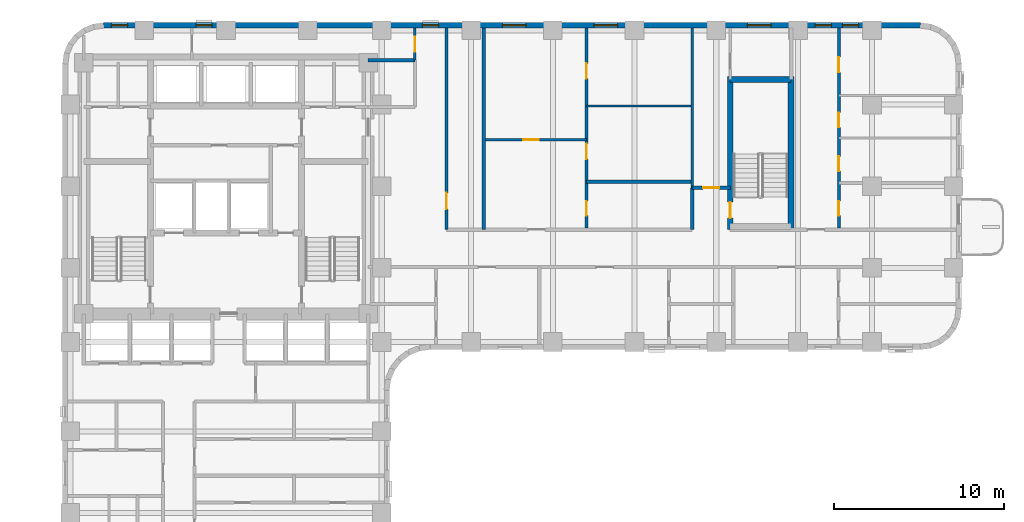
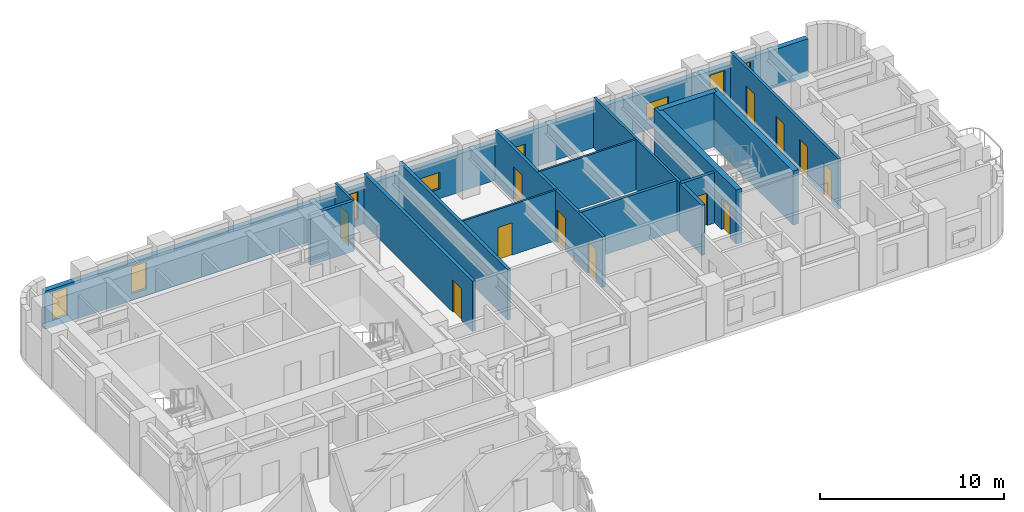
# One storey, part 7 of 12: 16 walls, 12 doors, 8 windows, 20 openings.
"""IFC4 building model written with IfcOpenShell, lengths in metres."""

from ifc_helpers import new_model, si_unit, direction, frame, frame_2d, origin, place, context, subcontext, project, spatial, rectangle, extrude, material, layer, layer_set, type_object, element, fill, save


model = new_model("IFC4")

# Units and contexts
model_context = context("Model", 3, precision=1e-05, world=origin(), true_north=direction((0.0, 1.0)))
body_context = subcontext(model_context, "Body", "Model", "MODEL_VIEW")
ifc_project = project(units=[si_unit("LENGTHUNIT", "METRE"), si_unit("AREAUNIT", "SQUARE_METRE"), si_unit("VOLUMEUNIT", "CUBIC_METRE"), si_unit("PLANEANGLEUNIT", "RADIAN"), si_unit("MASSUNIT", "GRAM", prefix="KILO")], contexts=[model_context])

# Site, building, storey
site_placement = place(None, origin())
site = spatial("IfcSite", under=ifc_project, at=site_placement, CompositionType="ELEMENT")
building_placement = place(site_placement, origin())
building = spatial("IfcBuilding", under=site, at=building_placement, Name="Orvandelia Arch Residences", CompositionType="ELEMENT")
storey_placement = place(building_placement, frame((0.0, 0.0, 43.0)))
storey = spatial("IfcBuildingStorey", under=building, at=storey_placement, Name="L10", CompositionType="ELEMENT", Elevation=43.0)

# Wall, opening, door
ifc_material_1 = material(Name="Concrete C50/60", Category="concrete")
ifc_layer_1 = layer(ifc_material_1, 0.35009765625, Name="Concrete C50/60", Category="concrete")
ifc_layer_set_1 = layer_set([ifc_layer_1], Name="Concrete C50/60")
wall_type_1 = type_object("IfcWallType", Name="WL-CORE-350", PredefinedType="SHEAR", material=ifc_layer_set_1)
wall_1_placement = place(storey_placement, frame((44.02001953125, 35.864990234375, 0.0), z_axis=(0.0, 0.0, 1.0), x_axis=(0.0, 1.0, 0.0)))
wall_1 = element("IfcWall", 1, at=wall_1_placement, inside=storey, type_object=wall_type_1, Name="East Stair Core Shear Wall L10-W", PredefinedType="SHEAR", context=body_context, shape_type="SweptSolid", body=[
    extrude(rectangle(XDim=8.969970703125, YDim=0.35009765625, at=frame_2d((4.48486328125, 0.0))), origin(), (0.0, 0.0, 1.0), 3.60009765625),
])
opening_1_placement = place(wall_1_placement, frame((0.64990234375, 0.0, 0.0)))
opening_1 = element("IfcOpeningElement", 2, at=opening_1_placement, cuts=wall_1, Name="Opening D7", PredefinedType="OPENING", context=body_context, shape_type="SweptSolid", body=[
    extrude(rectangle(XDim=0.949951171875, YDim=2.10009765625, at=frame_2d((0.47509765625, 1.050048828125))), frame((0.0, 0.18505859375, 0.0), z_axis=(0.0, -1.0, 0.0), x_axis=(1.0, 0.0, 0.0)), (0.0, 0.0, 1.0), 0.3701171875),
])
ifc_material_2 = material(Name="Pressurised Stairwell Fire Door")
door_type_1 = type_object("IfcDoorType", Name="DR-STAIR-950", OperationType="NOTDEFINED", PredefinedType="DOOR", material=ifc_material_2)
door_1_placement = place(opening_1_placement, origin())
door_1 = element("IfcDoor", 3, at=door_1_placement, inside=storey, type_object=door_type_1, Name="East Stairwell ST-3 Fire Door L10", OperationType="SINGLE_SWING_LEFT", OverallHeight=2.10009765625, OverallWidth=0.949951171875, PredefinedType="DOOR", context=body_context, shape_type="SweptSolid", body=[
    extrude(rectangle(XDim=0.949951171875, YDim=2.10009765625, at=frame_2d((0.47509765625, 1.050048828125))), frame((0.0, 0.02490234375, 0.0), z_axis=(0.0, -1.0, 0.0), x_axis=(1.0, 0.0, 0.0)), (0.0, 0.0, 1.0), 0.050048828125),
])
fill(opening_1, door_1)

# Walls
wall_2_placement = place(storey_placement, frame((47.60009765625, 35.864990234375, 0.0), z_axis=(0.0, 0.0, 1.0), x_axis=(0.0, 1.0, 0.0)))
element("IfcWall", 4, at=wall_2_placement, inside=storey, type_object=wall_type_1, Name="East Stair Core Shear Wall L10-E", PredefinedType="SHEAR", context=body_context, shape_type="SweptSolid", body=[
    extrude(rectangle(XDim=8.969970703125, YDim=0.35009765625, at=frame_2d((4.48486328125, 0.0))), origin(), (0.0, 0.0, 1.0), 3.60009765625),
])
wall_3_placement = place(storey_placement, frame((44.02001953125, 44.659912109375, 0.0), z_axis=(0.0, 0.0, 1.0), x_axis=(1.0, 0.0, 0.0)))
element("IfcWall", 5, at=wall_3_placement, inside=storey, type_object=wall_type_1, Name="East Stair Core Shear Wall L10-N", PredefinedType="SHEAR", context=body_context, shape_type="SweptSolid", body=[
    extrude(rectangle(XDim=3.580078125, YDim=0.35009765625, at=frame_2d((1.7900390625, 0.0))), origin(), (0.0, 0.0, 1.0), 3.60009765625),
])
ifc_material_3 = material(Name="Fire-Rated Corridor Partition")
ifc_layer_2 = layer(ifc_material_3, 0.199951171875, Name="Fire-Rated Corridor Partition")
ifc_layer_set_2 = layer_set([ifc_layer_2], Name="Fire-Rated Corridor Partition")
wall_type_2 = type_object("IfcWallType", Name="WL-CORR-200", PredefinedType="PARTITIONING", material=ifc_layer_set_2)
wall_4_placement = place(storey_placement, frame((22.75, 45.800048828125, 0.0), z_axis=(0.0, 0.0, 1.0), x_axis=(1.0, 0.0, 0.0)))
element("IfcWall", 6, at=wall_4_placement, inside=storey, type_object=wall_type_2, Name="Interior Partition Wall WL-L10-NCE-S", PredefinedType="PARTITIONING", context=body_context, shape_type="SweptSolid", body=[
    extrude(rectangle(XDim=2.75, YDim=0.199951171875, at=frame_2d((1.375, 0.0))), origin(), (0.0, 0.0, 1.0), 3.35009765625),
])

# Wall, opening, door
wall_5_placement = place(storey_placement, frame((27.35009765625, 35.85009765625, 0.0), z_axis=(0.0, 0.0, 1.0), x_axis=(0.0, 1.0, 0.0)))
wall_5 = element("IfcWall", 7, at=wall_5_placement, inside=storey, type_object=wall_type_2, Name="Interior Partition Wall WL-L10-ES-NCE", PredefinedType="PARTITIONING", context=body_context, shape_type="SweptSolid", body=[
    extrude(rectangle(XDim=11.829833984375, YDim=0.199951171875, at=frame_2d((5.9150390625, 0.0))), origin(), (0.0, 0.0, 1.0), 3.35009765625),
])
opening_2_placement = place(wall_5_placement, frame((1.199951171875, 0.0, 0.0)))
opening_2 = element("IfcOpeningElement", 8, at=opening_2_placement, cuts=wall_5, Name="Opening D2", PredefinedType="OPENING", context=body_context, shape_type="SweptSolid", body=[
    extrude(rectangle(XDim=0.949951171875, YDim=2.14990234375, at=frame_2d((0.47509765625, 1.074951171875))), frame((0.0, 0.10986328125, 0.0), z_axis=(0.0, -1.0, 0.0), x_axis=(1.0, 0.0, 0.0)), (0.0, 0.0, 1.0), 0.219970703125),
])
ifc_material_4 = material(Name="Solid-Core Timber Interior Fire Door", Category="wood")
door_type_2 = type_object("IfcDoorType", Name="DR-APT-950", OperationType="NOTDEFINED", PredefinedType="DOOR", material=ifc_material_4)
door_2_placement = place(opening_2_placement, origin())
door_2 = element("IfcDoor", 9, at=door_2_placement, inside=storey, type_object=door_type_2, Name="DR-L10-ESLDY", OperationType="SINGLE_SWING_RIGHT", OverallHeight=2.14990234375, OverallWidth=0.949951171875, PredefinedType="DOOR", context=body_context, shape_type="SweptSolid", body=[
    extrude(rectangle(XDim=0.949951171875, YDim=2.14990234375, at=frame_2d((0.47509765625, 1.074951171875))), frame((0.0, 0.02490234375, 0.0), z_axis=(0.0, -1.0, 0.0), x_axis=(1.0, 0.0, 0.0)), (0.0, 0.0, 1.0), 0.050048828125),
])
fill(opening_2, door_2)

# Wall
wall_6_placement = place(storey_placement, frame((41.780029296875, 35.85009765625, 0.0), z_axis=(0.0, 0.0, 1.0), x_axis=(0.0, 1.0, 0.0)))
element("IfcWall", 10, at=wall_6_placement, inside=storey, type_object=wall_type_2, Name="Interior Partition Wall WL-L10-ES-SW", PredefinedType="PARTITIONING", context=body_context, shape_type="SweptSolid", body=[
    extrude(rectangle(XDim=2.449951171875, YDim=0.199951171875, at=frame_2d((1.22509765625, 0.0))), origin(), (0.0, 0.0, 1.0), 3.35009765625),
])

# Wall, opening, door
wall_7_placement = place(storey_placement, frame((41.780029296875, 38.300048828125, 0.0), z_axis=(0.0, 0.0, 1.0), x_axis=(1.0, 0.0, 0.0)))
wall_7 = element("IfcWall", 11, at=wall_7_placement, inside=storey, type_object=wall_type_2, Name="Interior Partition Wall WL-L10-ES-SN", PredefinedType="PARTITIONING", context=body_context, shape_type="SweptSolid", body=[
    extrude(rectangle(XDim=2.239990234375, YDim=0.199951171875, at=frame_2d((1.1201171875, 0.0))), origin(), (0.0, 0.0, 1.0), 3.35009765625),
])
opening_3_placement = place(wall_7_placement, frame((0.64990234375, 0.0, 0.0)))
opening_3 = element("IfcOpeningElement", 12, at=opening_3_placement, cuts=wall_7, Name="Opening D2", PredefinedType="OPENING", context=body_context, shape_type="SweptSolid", body=[
    extrude(rectangle(XDim=0.949951171875, YDim=2.14990234375, at=frame_2d((0.47509765625, 1.074951171875))), frame((0.0, 0.10986328125, 0.0), z_axis=(0.0, -1.0, 0.0), x_axis=(1.0, 0.0, 0.0)), (0.0, 0.0, 1.0), 0.219970703125),
])
door_3_placement = place(opening_3_placement, origin())
door_3 = element("IfcDoor", 13, at=door_3_placement, inside=storey, type_object=door_type_2, Name="DR-L10-ESSPK", OperationType="SINGLE_SWING_LEFT", OverallHeight=2.14990234375, OverallWidth=0.949951171875, PredefinedType="DOOR", context=body_context, shape_type="SweptSolid", body=[
    extrude(rectangle(XDim=0.949951171875, YDim=2.14990234375, at=frame_2d((0.47509765625, 1.074951171875))), frame((0.0, 0.02490234375, 0.0), z_axis=(0.0, -1.0, 0.0), x_axis=(1.0, 0.0, 0.0)), (0.0, 0.0, 1.0), 0.050048828125),
])
fill(opening_3, door_3)

# Wall
ifc_material_5 = material(Name="Concrete C40/50", Category="concrete")
ifc_layer_3 = layer(ifc_material_5, 0.199951171875, Name="Concrete C40/50", Category="concrete")
ifc_layer_set_3 = layer_set([ifc_layer_3], Name="Concrete C40/50")
wall_type_3 = type_object("IfcWallType", Name="WL-DEM-200", PredefinedType="SOLIDWALL", material=ifc_layer_set_3)
wall_8_placement = place(storey_placement, frame((29.550048828125, 35.85009765625, 0.0), z_axis=(0.0, 0.0, 1.0), x_axis=(0.0, 1.0, 0.0)))
element("IfcWall", 14, at=wall_8_placement, inside=storey, type_object=wall_type_3, Name="Interior Partition Wall WL-L10-ES-LDE", PredefinedType="SOLIDWALL", context=body_context, shape_type="SweptSolid", body=[
    extrude(rectangle(XDim=11.829833984375, YDim=0.199951171875, at=frame_2d((5.9150390625, 0.0))), origin(), (0.0, 0.0, 1.0), 3.35009765625),
])

# Wall, openings, windows
ifc_material_6 = material(Name="Precast concrete C40/50", Category="concrete")
ifc_layer_4 = layer(ifc_material_6, 0.320068359375, Name="Precast concrete C40/50", Category="concrete")
ifc_layer_set_4 = layer_set([ifc_layer_4], Name="Precast concrete C40/50")
wall_type_4 = type_object("IfcWallType", Name="WL-EXT-STONE-320", PredefinedType="STANDARD", material=ifc_layer_set_4)
wall_9_placement = place(storey_placement, frame((7.199951171875, 47.840087890625, 0.0), z_axis=(0.0, 0.0, 1.0), x_axis=(1.0, 0.0, 0.0)))
wall_9 = element("IfcWall", 15, at=wall_9_placement, inside=storey, type_object=wall_type_4, Name="Coral-Limestone Precast Facade Wall L10-007", PredefinedType="STANDARD", context=body_context, shape_type="SweptSolid", body=[
    extrude(rectangle(XDim=48.0, YDim=0.320068359375, at=frame_2d((24.0, 0.0))), origin(), (0.0, 0.0, 1.0), 2.530029296875),
])
opening_4_placement = place(wall_9_placement, frame((28.803466796875, 0.0, 0.64990234375)))
opening_4 = element("IfcOpeningElement", 16, at=opening_4_placement, cuts=wall_9, Name="Opening W10", PredefinedType="OPENING", context=body_context, shape_type="SweptSolid", body=[
    extrude(rectangle(XDim=1.39990234375, YDim=1.10009765625, at=frame_2d((0.699951171875, 0.550048828125))), frame((0.0, 0.169921875, 0.0), z_axis=(0.0, -1.0, 0.0), x_axis=(1.0, 0.0, 0.0)), (0.0, 0.0, 1.0), 0.340087890625),
])
opening_5_placement = place(wall_9_placement, frame((43.41357421875, 0.0, 0.449951171875)))
opening_5 = element("IfcOpeningElement", 17, at=opening_5_placement, cuts=wall_9, Name="Opening W4", PredefinedType="OPENING", context=body_context, shape_type="SweptSolid", body=[
    extrude(rectangle(XDim=0.949951171875, YDim=1.800048828125, at=frame_2d((0.47509765625, 0.89990234375))), frame((0.0, 0.169921875, 0.0), z_axis=(0.0, -1.0, 0.0), x_axis=(1.0, 0.0, 0.0)), (0.0, 0.0, 1.0), 0.340087890625),
])
opening_6_placement = place(wall_9_placement, frame((18.739990234375, 0.0, 0.449951171875)))
opening_6 = element("IfcOpeningElement", 18, at=opening_6_placement, cuts=wall_9, Name="Opening W4", PredefinedType="OPENING", context=body_context, shape_type="SweptSolid", body=[
    extrude(rectangle(XDim=0.949951171875, YDim=1.800048828125, at=frame_2d((0.47509765625, 0.89990234375))), frame((0.0, 0.169921875, 0.0), z_axis=(0.0, -1.0, 0.0), x_axis=(1.0, 0.0, 0.0)), (0.0, 0.0, 1.0), 0.340087890625),
])
opening_7_placement = place(wall_9_placement, frame((37.824951171875, 0.0, 0.64990234375)))
opening_7 = element("IfcOpeningElement", 19, at=opening_7_placement, cuts=wall_9, Name="Opening W10", PredefinedType="OPENING", context=body_context, shape_type="SweptSolid", body=[
    extrude(rectangle(XDim=1.39990234375, YDim=1.10009765625, at=frame_2d((0.699951171875, 0.550048828125))), frame((0.0, 0.169921875, 0.0), z_axis=(0.0, -1.0, 0.0), x_axis=(1.0, 0.0, 0.0)), (0.0, 0.0, 1.0), 0.340087890625),
])
opening_8_placement = place(wall_9_placement, frame((0.469970703125, 0.0, 0.449951171875)))
opening_8 = element("IfcOpeningElement", 20, at=opening_8_placement, cuts=wall_9, Name="Opening W4", PredefinedType="OPENING", context=body_context, shape_type="SweptSolid", body=[
    extrude(rectangle(XDim=0.949951171875, YDim=1.800048828125, at=frame_2d((0.47509765625, 0.89990234375))), frame((0.0, 0.169921875, 0.0), z_axis=(0.0, -1.0, 0.0), x_axis=(1.0, 0.0, 0.0)), (0.0, 0.0, 1.0), 0.340087890625),
])
opening_9_placement = place(wall_9_placement, frame((5.43994140625, 0.0, 0.449951171875)))
opening_9 = element("IfcOpeningElement", 21, at=opening_9_placement, cuts=wall_9, Name="Opening W4", PredefinedType="OPENING", context=body_context, shape_type="SweptSolid", body=[
    extrude(rectangle(XDim=0.949951171875, YDim=1.800048828125, at=frame_2d((0.47509765625, 0.89990234375))), frame((0.0, 0.169921875, 0.0), z_axis=(0.0, -1.0, 0.0), x_axis=(1.0, 0.0, 0.0)), (0.0, 0.0, 1.0), 0.340087890625),
])
opening_10_placement = place(wall_9_placement, frame((23.429931640625, 0.0, 0.64990234375)))
opening_10 = element("IfcOpeningElement", 22, at=opening_10_placement, cuts=wall_9, Name="Opening W10", PredefinedType="OPENING", context=body_context, shape_type="SweptSolid", body=[
    extrude(rectangle(XDim=1.39990234375, YDim=1.10009765625, at=frame_2d((0.699951171875, 0.550048828125))), frame((0.0, 0.169921875, 0.0), z_axis=(0.0, -1.0, 0.0), x_axis=(1.0, 0.0, 0.0)), (0.0, 0.0, 1.0), 0.340087890625),
])
opening_11_placement = place(wall_9_placement, frame((41.80859375, 0.0, 0.449951171875)))
opening_11 = element("IfcOpeningElement", 23, at=opening_11_placement, cuts=wall_9, Name="Opening W4", PredefinedType="OPENING", context=body_context, shape_type="SweptSolid", body=[
    extrude(rectangle(XDim=0.949951171875, YDim=1.800048828125, at=frame_2d((0.47509765625, 0.89990234375))), frame((0.0, 0.169921875, 0.0), z_axis=(0.0, -1.0, 0.0), x_axis=(1.0, 0.0, 0.0)), (0.0, 0.0, 1.0), 0.340087890625),
])
ifc_material_7 = material(Name="Tempered Low-E Insulated Glazing", Category="glass")
window_type_1 = type_object("IfcWindowType", Name="WIN-CLR-1400x1100", PartitioningType="SINGLE_PANEL", PredefinedType="WINDOW", material=ifc_material_7)
window_1_placement = place(opening_4_placement, origin())
window_1 = element("IfcWindow", 24, at=window_1_placement, inside=storey, type_object=window_type_1, Name="Recessed Punched Window L10-001", OverallHeight=1.10009765625, OverallWidth=1.39990234375, PartitioningType="SINGLE_PANEL", PredefinedType="WINDOW", context=body_context, shape_type="SweptSolid", body=[
    extrude(rectangle(XDim=1.39990234375, YDim=1.10009765625, at=frame_2d((0.699951171875, 0.550048828125))), frame((0.0, 0.030029296875, 0.0), z_axis=(0.0, -1.0, 0.0), x_axis=(1.0, 0.0, 0.0)), (0.0, 0.0, 1.0), 0.06005859375),
])
fill(opening_4, window_1)
window_2_placement = place(opening_7_placement, origin())
window_2 = element("IfcWindow", 25, at=window_2_placement, inside=storey, type_object=window_type_1, Name="Recessed Punched Window L10-004", OverallHeight=1.10009765625, OverallWidth=1.39990234375, PartitioningType="SINGLE_PANEL", PredefinedType="WINDOW", context=body_context, shape_type="SweptSolid", body=[
    extrude(rectangle(XDim=1.39990234375, YDim=1.10009765625, at=frame_2d((0.699951171875, 0.550048828125))), frame((0.0, 0.030029296875, 0.0), z_axis=(0.0, -1.0, 0.0), x_axis=(1.0, 0.0, 0.0)), (0.0, 0.0, 1.0), 0.06005859375),
])
fill(opening_7, window_2)
window_3_placement = place(opening_10_placement, origin())
window_3 = element("IfcWindow", 26, at=window_3_placement, inside=storey, type_object=window_type_1, Name="Recessed Punched Window L10-007", OverallHeight=1.10009765625, OverallWidth=1.39990234375, PartitioningType="SINGLE_PANEL", PredefinedType="WINDOW", context=body_context, shape_type="SweptSolid", body=[
    extrude(rectangle(XDim=1.39990234375, YDim=1.10009765625, at=frame_2d((0.699951171875, 0.550048828125))), frame((0.0, 0.030029296875, 0.0), z_axis=(0.0, -1.0, 0.0), x_axis=(1.0, 0.0, 0.0)), (0.0, 0.0, 1.0), 0.06005859375),
])
fill(opening_10, window_3)
window_type_2 = type_object("IfcWindowType", Name="WIN-RES-0950x1800", PartitioningType="SINGLE_PANEL", PredefinedType="WINDOW", material=ifc_material_7)
window_4_placement = place(opening_5_placement, origin())
window_4 = element("IfcWindow", 27, at=window_4_placement, inside=storey, type_object=window_type_2, Name="Recessed Punched Window L10-002", OverallHeight=1.800048828125, OverallWidth=0.949951171875, PartitioningType="SINGLE_PANEL", PredefinedType="WINDOW", context=body_context, shape_type="SweptSolid", body=[
    extrude(rectangle(XDim=0.949951171875, YDim=1.800048828125, at=frame_2d((0.47509765625, 0.89990234375))), frame((0.0, 0.030029296875, 0.0), z_axis=(0.0, -1.0, 0.0), x_axis=(1.0, 0.0, 0.0)), (0.0, 0.0, 1.0), 0.06005859375),
])
fill(opening_5, window_4)
window_5_placement = place(opening_6_placement, origin())
window_5 = element("IfcWindow", 28, at=window_5_placement, inside=storey, type_object=window_type_2, Name="Recessed Punched Window L10-003", OverallHeight=1.800048828125, OverallWidth=0.949951171875, PartitioningType="SINGLE_PANEL", PredefinedType="WINDOW", context=body_context, shape_type="SweptSolid", body=[
    extrude(rectangle(XDim=0.949951171875, YDim=1.800048828125, at=frame_2d((0.47509765625, 0.89990234375))), frame((0.0, 0.030029296875, 0.0), z_axis=(0.0, -1.0, 0.0), x_axis=(1.0, 0.0, 0.0)), (0.0, 0.0, 1.0), 0.06005859375),
])
fill(opening_6, window_5)
window_6_placement = place(opening_8_placement, origin())
window_6 = element("IfcWindow", 29, at=window_6_placement, inside=storey, type_object=window_type_2, Name="Recessed Punched Window L10-005", OverallHeight=1.800048828125, OverallWidth=0.949951171875, PartitioningType="SINGLE_PANEL", PredefinedType="WINDOW", context=body_context, shape_type="SweptSolid", body=[
    extrude(rectangle(XDim=0.949951171875, YDim=1.800048828125, at=frame_2d((0.47509765625, 0.89990234375))), frame((0.0, 0.030029296875, 0.0), z_axis=(0.0, -1.0, 0.0), x_axis=(1.0, 0.0, 0.0)), (0.0, 0.0, 1.0), 0.06005859375),
])
fill(opening_8, window_6)
window_7_placement = place(opening_9_placement, origin())
window_7 = element("IfcWindow", 30, at=window_7_placement, inside=storey, type_object=window_type_2, Name="Recessed Punched Window L10-006", OverallHeight=1.800048828125, OverallWidth=0.949951171875, PartitioningType="SINGLE_PANEL", PredefinedType="WINDOW", context=body_context, shape_type="SweptSolid", body=[
    extrude(rectangle(XDim=0.949951171875, YDim=1.800048828125, at=frame_2d((0.47509765625, 0.89990234375))), frame((0.0, 0.030029296875, 0.0), z_axis=(0.0, -1.0, 0.0), x_axis=(1.0, 0.0, 0.0)), (0.0, 0.0, 1.0), 0.06005859375),
])
fill(opening_9, window_7)
window_8_placement = place(opening_11_placement, origin())
window_8 = element("IfcWindow", 31, at=window_8_placement, inside=storey, type_object=window_type_2, Name="Recessed Punched Window L10-008", OverallHeight=1.800048828125, OverallWidth=0.949951171875, PartitioningType="SINGLE_PANEL", PredefinedType="WINDOW", context=body_context, shape_type="SweptSolid", body=[
    extrude(rectangle(XDim=0.949951171875, YDim=1.800048828125, at=frame_2d((0.47509765625, 0.89990234375))), frame((0.0, 0.030029296875, 0.0), z_axis=(0.0, -1.0, 0.0), x_axis=(1.0, 0.0, 0.0)), (0.0, 0.0, 1.0), 0.06005859375),
])
fill(opening_11, window_8)

# Wall, opening, door
ifc_material_8 = material(Name="Lightweight Gypsum Stud Partition")
ifc_layer_5 = layer(ifc_material_8, 0.1201171875, Name="Lightweight Gypsum Stud Partition")
ifc_layer_set_5 = layer_set([ifc_layer_5], Name="Lightweight Gypsum Stud Partition")
wall_type_5 = type_object("IfcWallType", Name="WL-PART-120", PredefinedType="PARTITIONING", material=ifc_layer_set_5)
wall_10_placement = place(storey_placement, frame((29.6298828125, 41.1259765625, 0.0), z_axis=(0.0, 0.0, 1.0), x_axis=(1.0, 0.0, 0.0)))
wall_10 = element("IfcWall", 32, at=wall_10_placement, inside=storey, type_object=wall_type_5, Name="Interior Partition Wall WL-L10-U11-DIN", PredefinedType="PARTITIONING", context=body_context, shape_type="SweptSolid", body=[
    extrude(rectangle(XDim=5.947021484375, YDim=0.1201171875, at=frame_2d((2.9736328125, 0.0))), origin(), (0.0, 0.0, 1.0), 3.35009765625),
])
opening_12_placement = place(wall_10_placement, frame((2.235107421875, 0.0, 0.0)))
opening_12 = element("IfcOpeningElement", 33, at=opening_12_placement, cuts=wall_10, Name="Opening D3", PredefinedType="OPENING", context=body_context, shape_type="SweptSolid", body=[
    extrude(rectangle(XDim=0.89990234375, YDim=2.14990234375, at=frame_2d((0.449951171875, 1.074951171875))), frame((0.0, 0.070068359375, 0.0), z_axis=(0.0, -1.0, 0.0), x_axis=(1.0, 0.0, 0.0)), (0.0, 0.0, 1.0), 0.14013671875),
])
ifc_material_9 = material(Name="Engineered Timber Flush Door", Category="wood")
door_type_3 = type_object("IfcDoorType", Name="DR-INT-900", OperationType="NOTDEFINED", PredefinedType="DOOR", material=ifc_material_9)
door_4_placement = place(opening_12_placement, origin())
door_4 = element("IfcDoor", 34, at=door_4_placement, inside=storey, type_object=door_type_3, Name="DR-L10-U11-DIN", OperationType="SINGLE_SWING_RIGHT", OverallHeight=2.14990234375, OverallWidth=0.89990234375, PredefinedType="DOOR", context=body_context, shape_type="SweptSolid", body=[
    extrude(rectangle(XDim=0.89990234375, YDim=2.14990234375, at=frame_2d((0.449951171875, 1.074951171875))), frame((0.0, 0.02490234375, 0.0), z_axis=(0.0, -1.0, 0.0), x_axis=(1.0, 0.0, 0.0)), (0.0, 0.0, 1.0), 0.050048828125),
])
fill(opening_12, door_4)

# Wall
wall_11_placement = place(storey_placement, frame((35.576904296875, 43.10693359375, 0.0), z_axis=(0.0, 0.0, 1.0), x_axis=(1.0, 0.0, 0.0)))
element("IfcWall", 35, at=wall_11_placement, inside=storey, type_object=wall_type_5, Name="Interior Partition Wall WL-L10-U11-H2", PredefinedType="PARTITIONING", context=body_context, shape_type="SweptSolid", body=[
    extrude(rectangle(XDim=6.123046875, YDim=0.1201171875, at=frame_2d((3.0615234375, 0.0))), origin(), (0.0, 0.0, 1.0), 3.35009765625),
])

# Wall, opening, door
ifc_material_10 = material(Name="Acoustic Gypsum Stud Partition")
ifc_layer_6 = layer(ifc_material_10, 0.14990234375, Name="Acoustic Gypsum Stud Partition")
ifc_layer_set_6 = layer_set([ifc_layer_6], Name="Acoustic Gypsum Stud Partition")
wall_type_6 = type_object("IfcWallType", Name="WL-PART-150", PredefinedType="PARTITIONING", material=ifc_layer_set_6)
wall_12_placement = place(storey_placement, frame((25.5, 45.800048828125, 0.0), z_axis=(0.0, 0.0, 1.0), x_axis=(0.0, 1.0, 0.0)))
wall_12 = element("IfcWall", 36, at=wall_12_placement, inside=storey, type_object=wall_type_6, Name="Interior Partition Wall WL-L10-NCE-W", PredefinedType="PARTITIONING", context=body_context, shape_type="SweptSolid", body=[
    extrude(rectangle(XDim=1.8798828125, YDim=0.14990234375, at=frame_2d((0.93994140625, 0.0))), origin(), (0.0, 0.0, 1.0), 3.35009765625),
])
opening_13_placement = place(wall_12_placement, frame((0.5, 0.0, 0.0)))
opening_13 = element("IfcOpeningElement", 37, at=opening_13_placement, cuts=wall_12, Name="Opening D5", PredefinedType="OPENING", context=body_context, shape_type="SweptSolid", body=[
    extrude(rectangle(XDim=0.8798828125, YDim=2.10009765625, at=frame_2d((0.43994140625, 1.050048828125))), frame((0.0, 0.0849609375, 0.0), z_axis=(0.0, -1.0, 0.0), x_axis=(1.0, 0.0, 0.0)), (0.0, 0.0, 1.0), 0.169921875),
])
ifc_material_11 = material(Name="Painted Galvanised Steel Service Door", Category="steel")
door_type_4 = type_object("IfcDoorType", Name="DR-SRV-880", OperationType="NOTDEFINED", PredefinedType="DOOR", material=ifc_material_11)
door_5_placement = place(opening_13_placement, origin())
door_5 = element("IfcDoor", 38, at=door_5_placement, inside=storey, type_object=door_type_4, Name="DR-L10-NCS2", OperationType="SINGLE_SWING_LEFT", OverallHeight=2.10009765625, OverallWidth=0.8798828125, PredefinedType="DOOR", context=body_context, shape_type="SweptSolid", body=[
    extrude(rectangle(XDim=0.8798828125, YDim=2.10009765625, at=frame_2d((0.43994140625, 1.050048828125))), frame((0.0, 0.02490234375, 0.0), z_axis=(0.0, -1.0, 0.0), x_axis=(1.0, 0.0, 0.0)), (0.0, 0.0, 1.0), 0.050048828125),
])
fill(opening_13, door_5)

# Wall
wall_13_placement = place(storey_placement, frame((41.780029296875, 38.300048828125, 0.0), z_axis=(0.0, 0.0, 1.0), x_axis=(0.0, 1.0, 0.0)))
element("IfcWall", 39, at=wall_13_placement, inside=storey, type_object=wall_type_6, Name="Interior Partition Wall WL-L10-ES-SPKW", PredefinedType="PARTITIONING", context=body_context, shape_type="SweptSolid", body=[
    extrude(rectangle(XDim=9.3798828125, YDim=0.14990234375, at=frame_2d((4.68994140625, 0.0))), origin(), (0.0, 0.0, 1.0), 3.35009765625),
])

# Wall, openings, doors
ifc_material_12 = material(Name="Moisture-Resistant Plumbing Wall")
ifc_layer_7 = layer(ifc_material_12, 0.179931640625, Name="Moisture-Resistant Plumbing Wall")
ifc_layer_set_7 = layer_set([ifc_layer_7], Name="Moisture-Resistant Plumbing Wall")
wall_type_7 = type_object("IfcWallType", Name="WL-WET-180", PredefinedType="PLUMBINGWALL", material=ifc_layer_set_7)
wall_14_placement = place(storey_placement, frame((35.576904296875, 35.929931640625, 0.0), z_axis=(0.0, 0.0, 1.0), x_axis=(0.0, 1.0, 0.0)))
wall_14 = element("IfcWall", 40, at=wall_14_placement, inside=storey, type_object=wall_type_7, Name="Interior Partition Wall WL-L10-U11-VT", PredefinedType="PLUMBINGWALL", context=body_context, shape_type="SweptSolid", body=[
    extrude(rectangle(XDim=11.75, YDim=0.179931640625, at=frame_2d((5.875, 0.0))), origin(), (0.0, 0.0, 1.0), 3.35009765625),
])
opening_14_placement = place(wall_14_placement, frame((0.7333984375, 0.0, 0.0)))
opening_14 = element("IfcOpeningElement", 41, at=opening_14_placement, cuts=wall_14, Name="Opening D4", PredefinedType="OPENING", context=body_context, shape_type="SweptSolid", body=[
    extrude(rectangle(XDim=0.860107421875, YDim=2.10009765625, at=frame_2d((0.43017578125, 1.050048828125))), frame((0.0, 0.10009765625, 0.0), z_axis=(0.0, -1.0, 0.0), x_axis=(1.0, 0.0, 0.0)), (0.0, 0.0, 1.0), 0.199951171875),
])
opening_15_placement = place(wall_14_placement, frame((4.063720703125, 0.0, 0.0)))
opening_15 = element("IfcOpeningElement", 42, at=opening_15_placement, cuts=wall_14, Name="Opening D3", PredefinedType="OPENING", context=body_context, shape_type="SweptSolid", body=[
    extrude(rectangle(XDim=0.89990234375, YDim=2.14990234375, at=frame_2d((0.449951171875, 1.074951171875))), frame((0.0, 0.10009765625, 0.0), z_axis=(0.0, -1.0, 0.0), x_axis=(1.0, 0.0, 0.0)), (0.0, 0.0, 1.0), 0.199951171875),
])
opening_16_placement = place(wall_14_placement, frame((8.789306640625, 0.0, 0.0)))
opening_16 = element("IfcOpeningElement", 43, at=opening_16_placement, cuts=wall_14, Name="Opening D3", PredefinedType="OPENING", context=body_context, shape_type="SweptSolid", body=[
    extrude(rectangle(XDim=0.89990234375, YDim=2.14990234375, at=frame_2d((0.449951171875, 1.074951171875))), frame((0.0, 0.10009765625, 0.0), z_axis=(0.0, -1.0, 0.0), x_axis=(1.0, 0.0, 0.0)), (0.0, 0.0, 1.0), 0.199951171875),
])
door_6_placement = place(opening_15_placement, origin())
door_6 = element("IfcDoor", 44, at=door_6_placement, inside=storey, type_object=door_type_3, Name="DR-L10-U11-KIT", OperationType="SINGLE_SWING_LEFT", OverallHeight=2.14990234375, OverallWidth=0.89990234375, PredefinedType="DOOR", context=body_context, shape_type="SweptSolid", body=[
    extrude(rectangle(XDim=0.89990234375, YDim=2.14990234375, at=frame_2d((0.449951171875, 1.074951171875))), frame((0.0, 0.02490234375, 0.0), z_axis=(0.0, -1.0, 0.0), x_axis=(1.0, 0.0, 0.0)), (0.0, 0.0, 1.0), 0.050048828125),
])
fill(opening_15, door_6)
door_7_placement = place(opening_16_placement, origin())
door_7 = element("IfcDoor", 45, at=door_7_placement, inside=storey, type_object=door_type_3, Name="DR-L10-U11-BD1", OperationType="SINGLE_SWING_RIGHT", OverallHeight=2.14990234375, OverallWidth=0.89990234375, PredefinedType="DOOR", context=body_context, shape_type="SweptSolid", body=[
    extrude(rectangle(XDim=0.89990234375, YDim=2.14990234375, at=frame_2d((0.449951171875, 1.074951171875))), frame((0.0, 0.02490234375, 0.0), z_axis=(0.0, -1.0, 0.0), x_axis=(1.0, 0.0, 0.0)), (0.0, 0.0, 1.0), 0.050048828125),
])
fill(opening_16, door_7)
ifc_material_13 = material(Name="Moisture-Sealed Timber Bathroom Door", Category="wood")
door_type_5 = type_object("IfcDoorType", Name="DR-WET-900", OperationType="NOTDEFINED", PredefinedType="DOOR", material=ifc_material_13)
door_8_placement = place(opening_14_placement, origin())
door_8 = element("IfcDoor", 46, at=door_8_placement, inside=storey, type_object=door_type_5, Name="DR-L10-U11-BTH", OperationType="SINGLE_SWING_RIGHT", OverallHeight=2.10009765625, OverallWidth=0.860107421875, PredefinedType="DOOR", context=body_context, shape_type="SweptSolid", body=[
    extrude(rectangle(XDim=0.860107421875, YDim=2.10009765625, at=frame_2d((0.43017578125, 1.050048828125))), frame((0.0, 0.02490234375, 0.0), z_axis=(0.0, -1.0, 0.0), x_axis=(1.0, 0.0, 0.0)), (0.0, 0.0, 1.0), 0.050048828125),
])
fill(opening_14, door_8)

# Wall
wall_15_placement = place(storey_placement, frame((35.576904296875, 38.659912109375, 0.0), z_axis=(0.0, 0.0, 1.0), x_axis=(1.0, 0.0, 0.0)))
element("IfcWall", 47, at=wall_15_placement, inside=storey, type_object=wall_type_7, Name="Interior Partition Wall WL-L10-U11-H1", PredefinedType="PLUMBINGWALL", context=body_context, shape_type="SweptSolid", body=[
    extrude(rectangle(XDim=6.123046875, YDim=0.179931640625, at=frame_2d((3.0615234375, 0.0))), origin(), (0.0, 0.0, 1.0), 3.35009765625),
])

# Wall, openings, doors
wall_16_placement = place(storey_placement, frame((50.39697265625, 35.949951171875, 0.0), z_axis=(0.0, 0.0, 1.0), x_axis=(0.0, 1.0, 0.0)))
wall_16 = element("IfcWall", 48, at=wall_16_placement, inside=storey, type_object=wall_type_7, Name="Interior Partition Wall WL-L10-U12-VT", PredefinedType="PLUMBINGWALL", context=body_context, shape_type="SweptSolid", body=[
    extrude(rectangle(XDim=11.72998046875, YDim=0.179931640625, at=frame_2d((5.864990234375, 0.0))), origin(), (0.0, 0.0, 1.0), 3.35009765625),
])
opening_17_placement = place(wall_16_placement, frame((0.7158203125, 0.0, 0.0)))
opening_17 = element("IfcOpeningElement", 49, at=opening_17_placement, cuts=wall_16, Name="Opening D4", PredefinedType="OPENING", context=body_context, shape_type="SweptSolid", body=[
    extrude(rectangle(XDim=0.860107421875, YDim=2.10009765625, at=frame_2d((0.43017578125, 1.050048828125))), frame((0.0, 0.10009765625, 0.0), z_axis=(0.0, -1.0, 0.0), x_axis=(1.0, 0.0, 0.0)), (0.0, 0.0, 1.0), 0.199951171875),
])
opening_18_placement = place(wall_16_placement, frame((3.3349609375, 0.0, 0.0)))
opening_18 = element("IfcOpeningElement", 50, at=opening_18_placement, cuts=wall_16, Name="Opening D4", PredefinedType="OPENING", context=body_context, shape_type="SweptSolid", body=[
    extrude(rectangle(XDim=0.860107421875, YDim=2.10009765625, at=frame_2d((0.43017578125, 1.050048828125))), frame((0.0, 0.10009765625, 0.0), z_axis=(0.0, -1.0, 0.0), x_axis=(1.0, 0.0, 0.0)), (0.0, 0.0, 1.0), 0.199951171875),
])
opening_19_placement = place(wall_16_placement, frame((5.90673828125, 0.0, 0.0)))
opening_19 = element("IfcOpeningElement", 51, at=opening_19_placement, cuts=wall_16, Name="Opening D4", PredefinedType="OPENING", context=body_context, shape_type="SweptSolid", body=[
    extrude(rectangle(XDim=0.860107421875, YDim=2.10009765625, at=frame_2d((0.43017578125, 1.050048828125))), frame((0.0, 0.10009765625, 0.0), z_axis=(0.0, -1.0, 0.0), x_axis=(1.0, 0.0, 0.0)), (0.0, 0.0, 1.0), 0.199951171875),
])
opening_20_placement = place(wall_16_placement, frame((9.12841796875, 0.0, 0.0)))
opening_20 = element("IfcOpeningElement", 52, at=opening_20_placement, cuts=wall_16, Name="Opening D3", PredefinedType="OPENING", context=body_context, shape_type="SweptSolid", body=[
    extrude(rectangle(XDim=0.89990234375, YDim=2.14990234375, at=frame_2d((0.449951171875, 1.074951171875))), frame((0.0, 0.10009765625, 0.0), z_axis=(0.0, -1.0, 0.0), x_axis=(1.0, 0.0, 0.0)), (0.0, 0.0, 1.0), 0.199951171875),
])
door_9_placement = place(opening_20_placement, origin())
door_9 = element("IfcDoor", 53, at=door_9_placement, inside=storey, type_object=door_type_3, Name="DR-L10-U12-BD1", OperationType="SINGLE_SWING_RIGHT", OverallHeight=2.14990234375, OverallWidth=0.89990234375, PredefinedType="DOOR", context=body_context, shape_type="SweptSolid", body=[
    extrude(rectangle(XDim=0.89990234375, YDim=2.14990234375, at=frame_2d((0.449951171875, 1.074951171875))), frame((0.0, 0.02490234375, 0.0), z_axis=(0.0, -1.0, 0.0), x_axis=(1.0, 0.0, 0.0)), (0.0, 0.0, 1.0), 0.050048828125),
])
fill(opening_20, door_9)
door_10_placement = place(opening_17_placement, origin())
door_10 = element("IfcDoor", 54, at=door_10_placement, inside=storey, type_object=door_type_5, Name="DR-L10-U12-BTH", OperationType="SINGLE_SWING_LEFT", OverallHeight=2.10009765625, OverallWidth=0.860107421875, PredefinedType="DOOR", context=body_context, shape_type="SweptSolid", body=[
    extrude(rectangle(XDim=0.860107421875, YDim=2.10009765625, at=frame_2d((0.43017578125, 1.050048828125))), frame((0.0, 0.02490234375, 0.0), z_axis=(0.0, -1.0, 0.0), x_axis=(1.0, 0.0, 0.0)), (0.0, 0.0, 1.0), 0.050048828125),
])
fill(opening_17, door_10)
door_11_placement = place(opening_18_placement, origin())
door_11 = element("IfcDoor", 55, at=door_11_placement, inside=storey, type_object=door_type_5, Name="DR-L10-U12-KIT", OperationType="SINGLE_SWING_RIGHT", OverallHeight=2.10009765625, OverallWidth=0.860107421875, PredefinedType="DOOR", context=body_context, shape_type="SweptSolid", body=[
    extrude(rectangle(XDim=0.860107421875, YDim=2.10009765625, at=frame_2d((0.43017578125, 1.050048828125))), frame((0.0, 0.02490234375, 0.0), z_axis=(0.0, -1.0, 0.0), x_axis=(1.0, 0.0, 0.0)), (0.0, 0.0, 1.0), 0.050048828125),
])
fill(opening_18, door_11)
door_12_placement = place(opening_19_placement, origin())
door_12 = element("IfcDoor", 56, at=door_12_placement, inside=storey, type_object=door_type_5, Name="DR-L10-U12-STDY", OperationType="SINGLE_SWING_LEFT", OverallHeight=2.10009765625, OverallWidth=0.860107421875, PredefinedType="DOOR", context=body_context, shape_type="SweptSolid", body=[
    extrude(rectangle(XDim=0.860107421875, YDim=2.10009765625, at=frame_2d((0.43017578125, 1.050048828125))), frame((0.0, 0.02490234375, 0.0), z_axis=(0.0, -1.0, 0.0), x_axis=(1.0, 0.0, 0.0)), (0.0, 0.0, 1.0), 0.050048828125),
])
fill(opening_19, door_12)

save(model, "model.ifc")
